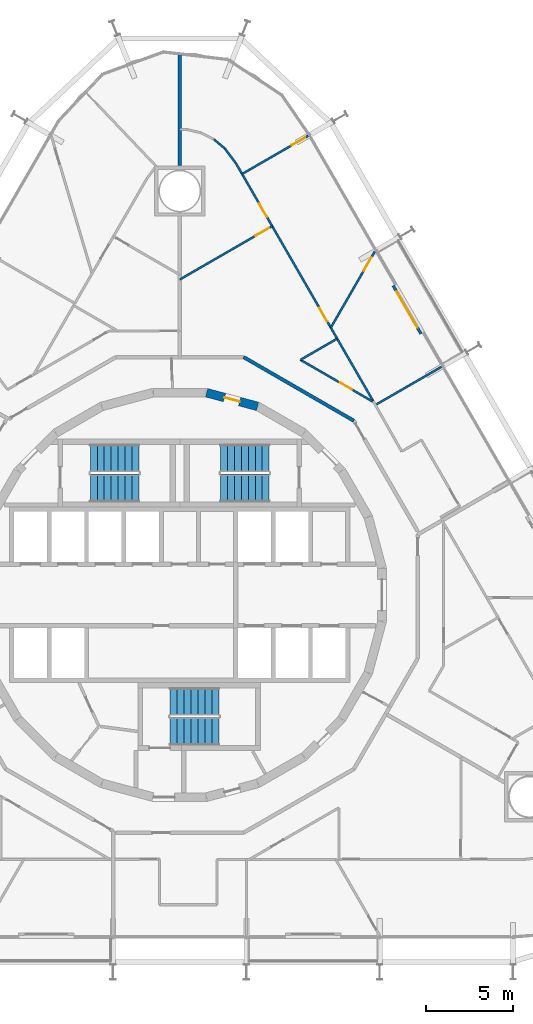
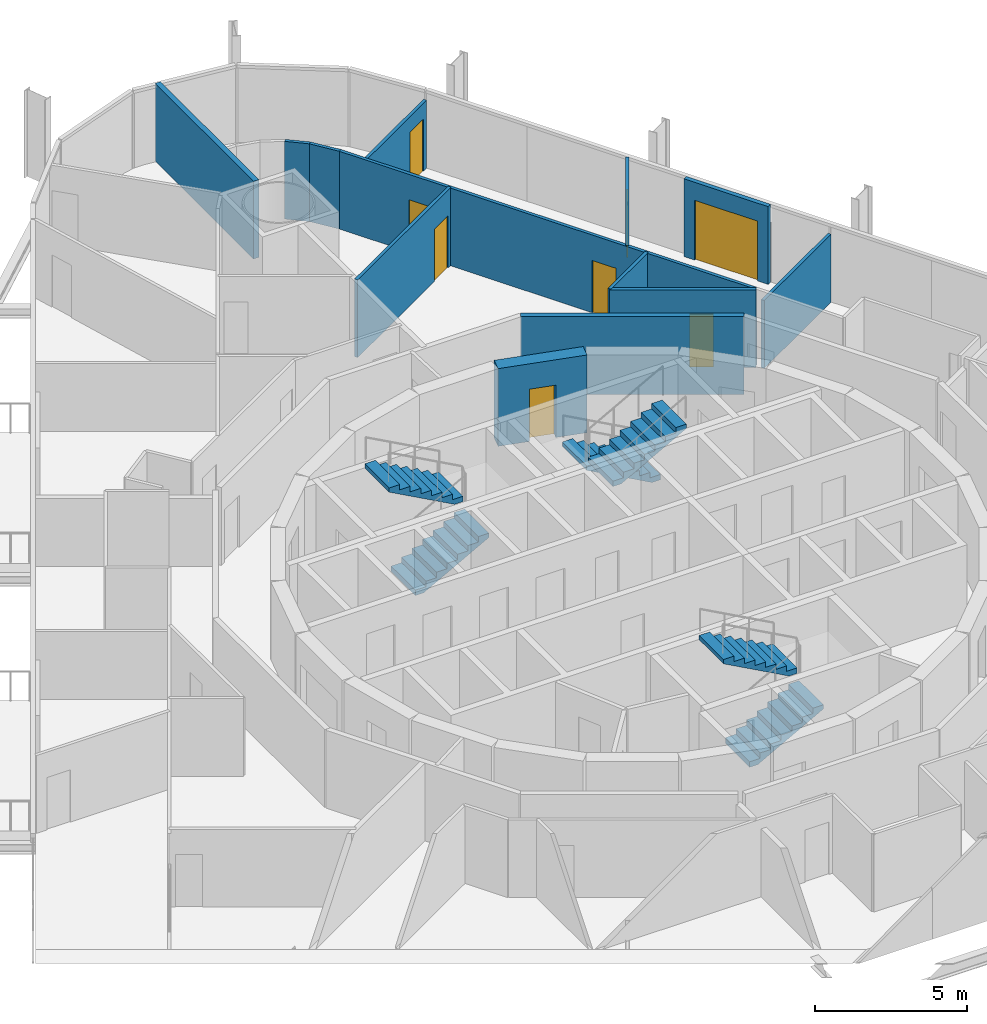
# One storey, part 18 of 19: 13 walls, 8 doors, 6 stair flights, 8 openings, 3 elements without a shape of their own.
"""IFC4 building model written with IfcOpenShell, lengths in metres."""

from ifc_helpers import new_model, si_unit, direction, frame, frame_2d, origin, place, context, subcontext, project, spatial, polyline, rectangle, outline, extrude, material, layer, layer_set, type_object, element, fill, aggregate, save


model = new_model("IFC4")

# Units and contexts
model_context = context("Model", 3, precision=1e-05, world=origin(), true_north=direction((0.0, 1.0)))
body_context = subcontext(model_context, "Body", "Model", "MODEL_VIEW")
ifc_project = project(units=[si_unit("LENGTHUNIT", "METRE"), si_unit("AREAUNIT", "SQUARE_METRE"), si_unit("VOLUMEUNIT", "CUBIC_METRE"), si_unit("PLANEANGLEUNIT", "RADIAN"), si_unit("MASSUNIT", "GRAM", prefix="KILO")], contexts=[model_context])

# Site, building, storey
site_placement = place(None, origin())
site = spatial("IfcSite", under=ifc_project, at=site_placement, CompositionType="ELEMENT")
building_placement = place(site_placement, origin())
building = spatial("IfcBuilding", under=site, at=building_placement, Name="Spindle Arch Residences", CompositionType="ELEMENT")
storey_placement = place(building_placement, frame((0.0, 0.0, 45.39990234375)))
storey = spatial("IfcBuildingStorey", under=building, at=storey_placement, Name="L09", CompositionType="ELEMENT", Elevation=45.39990234375)

# Wall, opening, door
ifc_material_1 = material(Name="Concrete C50/60", Category="concrete")
ifc_layer_1 = layer(ifc_material_1, 0.5)
ifc_layer_set_1 = layer_set([ifc_layer_1], Name="Core outline wall 500")
wall_type_1 = type_object("IfcWallType", Name="Core outline wall 500", PredefinedType="SHEAR", material=ifc_layer_set_1)
wall_1_placement = place(storey_placement, frame((4.479248046875, 10.858154296875, 0.0), z_axis=(0.0, 0.0, 1.0), x_axis=(-0.965948410781, 0.258734743916, 0.0)))
wall_1 = element("IfcWall", 1, at=wall_1_placement, inside=storey, type_object=wall_type_1, Name="Core outline wall 11", PredefinedType="SHEAR", context=body_context, shape_type="SweptSolid", body=[
    extrude(rectangle(XDim=3.03271484375, YDim=0.5, at=frame_2d((1.516357421875, 0.0))), origin(), (0.0, 0.0, 1.0), 3.1201171875),
])
opening_1_placement = place(wall_1_placement, frame((1.066162109375, 0.0, 0.0)))
opening_1 = element("IfcOpeningElement", 2, at=opening_1_placement, cuts=wall_1, Name="Opening R1A0-WD10", PredefinedType="OPENING", context=body_context, shape_type="SweptSolid", body=[
    extrude(rectangle(XDim=0.89990234375, YDim=2.10009765625, at=frame_2d((0.449951171875, 1.050048828125))), frame((0.0, 0.260009765625, 0.0), z_axis=(0.0, -1.0, 0.0), x_axis=(1.0, 0.0, 0.0)), (0.0, 0.0, 1.0), 0.52001953125),
])
ifc_material_2 = material(Name="Steel, fire-resisting door", Category="steel")
door_type_1 = type_object("IfcDoorType", Name="Service room door 900x2100", OperationType="SINGLE_SWING_LEFT", PredefinedType="DOOR", material=ifc_material_2)
door_1_placement = place(opening_1_placement, origin())
door_1 = element("IfcDoor", 3, at=door_1_placement, inside=storey, type_object=door_type_1, Name="Service room door R1A0-WD10", OperationType="SINGLE_SWING_LEFT", OverallHeight=2.10009765625, OverallWidth=0.89990234375, PredefinedType="DOOR", context=body_context, shape_type="SweptSolid", body=[
    extrude(rectangle(XDim=0.89990234375, YDim=2.10009765625, at=frame_2d((0.449951171875, 1.050048828125))), frame((0.0, 0.02490234375, 0.0), z_axis=(0.0, -1.0, 0.0), x_axis=(1.0, 0.0, 0.0)), (0.0, 0.0, 1.0), 0.050048828125),
])
fill(opening_1, door_1)

# Wall
ifc_material_3 = material(Name="Calcium silicate block, plastered")
ifc_layer_2 = layer(ifc_material_3, 0.199951171875)
ifc_layer_set_2 = layer_set([ifc_layer_2], Name="Corridor wall 200")
wall_type_2 = type_object("IfcWallType", Name="Corridor wall 200", PredefinedType="STANDARD", material=ifc_layer_set_2)
wall_2_placement = place(storey_placement, frame((10.029052734375, 10.029052734375, 0.0), z_axis=(0.0, 0.0, 1.0), x_axis=(-0.866024439905, 0.500001669485, 0.0)))
element("IfcWall", 4, at=wall_2_placement, inside=storey, type_object=wall_type_2, Name="Corridor wall R1A0-W005", PredefinedType="STANDARD", context=body_context, shape_type="SweptSolid", body=[
    extrude(rectangle(XDim=7.341796875, YDim=0.199951171875, at=frame_2d((3.6708984375, 0.0))), origin(), (0.0, 0.0, 1.0), 3.1201171875),
])

# Wall, openings, doors
ifc_material_4 = material(Name="Plasterboard on steel studs", Category="steel")
ifc_layer_3 = layer(ifc_material_4, 0.1201171875)
ifc_layer_set_3 = layer_set([ifc_layer_3], Name="Flat partition 120")
wall_type_3 = type_object("IfcWallType", Name="Flat partition 120", PredefinedType="PARTITIONING", material=ifc_layer_set_3)
wall_3_placement = place(storey_placement, frame((11.138916015625, 11.16650390625, 0.0), z_axis=(0.0, 0.0, 1.0), x_axis=(-0.499994660107, 0.866028486751, 0.0)))
wall_3 = element("IfcWall", 5, at=wall_3_placement, inside=storey, type_object=wall_type_3, Name="Flat partition R1A0-W031", PredefinedType="PARTITIONING", context=body_context, shape_type="SweptSolid", body=[
    extrude(rectangle(XDim=15.786376953125, YDim=0.1201171875, at=frame_2d((7.89306640625, 0.0))), origin(), (0.0, 0.0, 1.0), 3.1201171875),
])
opening_2_placement = place(wall_3_placement, frame((5.27880859375, 0.0, 0.0)))
opening_2 = element("IfcOpeningElement", 6, at=opening_2_placement, cuts=wall_3, Name="Opening R1A0-ID02", PredefinedType="OPENING", context=body_context, shape_type="SweptSolid", body=[
    extrude(rectangle(XDim=0.89990234375, YDim=2.10009765625, at=frame_2d((0.449951171875, 1.050048828125))), frame((0.0, 0.070068359375, 0.0), z_axis=(0.0, -1.0, 0.0), x_axis=(1.0, 0.0, 0.0)), (0.0, 0.0, 1.0), 0.14013671875),
])
opening_3_placement = place(wall_3_placement, frame((12.230224609375, 0.0, 0.0)))
opening_3 = element("IfcOpeningElement", 7, at=opening_3_placement, cuts=wall_3, Name="Opening R1A0-ID06", PredefinedType="OPENING", context=body_context, shape_type="SweptSolid", body=[
    extrude(rectangle(XDim=0.89990234375, YDim=2.10009765625, at=frame_2d((0.449951171875, 1.050048828125))), frame((0.0, 0.070068359375, 0.0), z_axis=(0.0, -1.0, 0.0), x_axis=(1.0, 0.0, 0.0)), (0.0, 0.0, 1.0), 0.14013671875),
])
ifc_material_5 = material(Name="Timber door set", Category="wood")
door_type_2 = type_object("IfcDoorType", Name="Room door 900x2100", OperationType="NOTDEFINED", PredefinedType="DOOR", material=ifc_material_5)
door_2_placement = place(opening_2_placement, origin())
door_2 = element("IfcDoor", 8, at=door_2_placement, inside=storey, type_object=door_type_2, Name="Room door R1A0-ID02", OperationType="SINGLE_SWING_RIGHT", OverallHeight=2.10009765625, OverallWidth=0.89990234375, PredefinedType="DOOR", context=body_context, shape_type="SweptSolid", body=[
    extrude(rectangle(XDim=0.89990234375, YDim=2.10009765625, at=frame_2d((0.449951171875, 1.050048828125))), frame((0.0, 0.02490234375, 0.0), z_axis=(0.0, -1.0, 0.0), x_axis=(1.0, 0.0, 0.0)), (0.0, 0.0, 1.0), 0.050048828125),
])
fill(opening_2, door_2)
door_3_placement = place(opening_3_placement, origin())
door_3 = element("IfcDoor", 9, at=door_3_placement, inside=storey, type_object=door_type_2, Name="Room door R1A0-ID06", OperationType="SINGLE_SWING_LEFT", OverallHeight=2.10009765625, OverallWidth=0.89990234375, PredefinedType="DOOR", context=body_context, shape_type="SweptSolid", body=[
    extrude(rectangle(XDim=0.89990234375, YDim=2.10009765625, at=frame_2d((0.449951171875, 1.050048828125))), frame((0.0, 0.02490234375, 0.0), z_axis=(0.0, -1.0, 0.0), x_axis=(1.0, 0.0, 0.0)), (0.0, 0.0, 1.0), 0.050048828125),
])
fill(opening_3, door_3)

# Wall, opening, door
wall_4_placement = place(storey_placement, frame((11.127197265625, 11.127197265625, 0.0), z_axis=(0.0, 0.0, 1.0), x_axis=(-0.866043916853, 0.499967933054, 0.0)))
wall_4 = element("IfcWall", 10, at=wall_4_placement, inside=storey, type_object=wall_type_3, Name="Flat partition R1A0-W032", PredefinedType="PARTITIONING", context=body_context, shape_type="SweptSolid", body=[
    extrude(rectangle(XDim=4.821044921875, YDim=0.1201171875, at=frame_2d((2.41064453125, 0.0))), origin(), (0.0, 0.0, 1.0), 3.1201171875),
])
opening_4_placement = place(wall_4_placement, frame((1.39990234375, 0.0, 0.0)))
opening_4 = element("IfcOpeningElement", 11, at=opening_4_placement, cuts=wall_4, Name="Opening R1A0-BD01", PredefinedType="OPENING", context=body_context, shape_type="SweptSolid", body=[
    extrude(rectangle(XDim=0.800048828125, YDim=2.10009765625, at=frame_2d((0.39990234375, 1.050048828125))), frame((0.0, 0.070068359375, 0.0), z_axis=(0.0, -1.0, 0.0), x_axis=(1.0, 0.0, 0.0)), (0.0, 0.0, 1.0), 0.14013671875),
])
ifc_material_6 = material(Name="Timber door set", Category="wood")
door_type_3 = type_object("IfcDoorType", Name="Bathroom door 800x2100", OperationType="NOTDEFINED", PredefinedType="DOOR", material=ifc_material_6)
door_4_placement = place(opening_4_placement, origin())
door_4 = element("IfcDoor", 12, at=door_4_placement, inside=storey, type_object=door_type_3, Name="Bathroom door R1A0-BD01", OperationType="SINGLE_SWING_RIGHT", OverallHeight=2.10009765625, OverallWidth=0.800048828125, PredefinedType="DOOR", context=body_context, shape_type="SweptSolid", body=[
    extrude(rectangle(XDim=0.800048828125, YDim=2.10009765625, at=frame_2d((0.39990234375, 1.050048828125))), frame((0.0, 0.02490234375, 0.0), z_axis=(0.0, -1.0, 0.0), x_axis=(1.0, 0.0, 0.0)), (0.0, 0.0, 1.0), 0.050048828125),
])
fill(opening_4, door_4)

# Wall
wall_5_placement = place(storey_placement, frame((6.951904296875, 13.53759765625, 0.0), z_axis=(0.0, 0.0, 1.0), x_axis=(0.866030657337, 0.49999090047, 0.0)))
element("IfcWall", 13, at=wall_5_placement, inside=storey, type_object=wall_type_3, Name="Flat partition R1A0-W033", PredefinedType="PARTITIONING", context=body_context, shape_type="SweptSolid", body=[
    extrude(rectangle(XDim=2.4404296875, YDim=0.1201171875, at=frame_2d((1.22021484375, 0.0))), origin(), (0.0, 0.0, 1.0), 3.1201171875),
])

# Wall, opening, door
wall_6_placement = place(storey_placement, frame((5.323974609375, 21.238525390625, 0.0), z_axis=(0.0, 0.0, 1.0), x_axis=(-0.866030172657, -0.49999173998, 0.0)))
wall_6 = element("IfcWall", 14, at=wall_6_placement, inside=storey, type_object=wall_type_3, Name="Flat partition R1A0-W034", PredefinedType="PARTITIONING", context=body_context, shape_type="SweptSolid", body=[
    extrude(rectangle(XDim=6.1474609375, YDim=0.1201171875, at=frame_2d((3.07373046875, 0.0))), origin(), (0.0, 0.0, 1.0), 3.1201171875),
])
opening_5_placement = place(wall_6_placement, frame((0.199951171875, 0.0, 0.0)))
opening_5 = element("IfcOpeningElement", 15, at=opening_5_placement, cuts=wall_6, Name="Opening R1A0-ID03", PredefinedType="OPENING", context=body_context, shape_type="SweptSolid", body=[
    extrude(rectangle(XDim=0.89990234375, YDim=2.10009765625, at=frame_2d((0.449951171875, 1.050048828125))), frame((0.0, 0.070068359375, 0.0), z_axis=(0.0, -1.0, 0.0), x_axis=(1.0, 0.0, 0.0)), (0.0, 0.0, 1.0), 0.14013671875),
])
door_5_placement = place(opening_5_placement, origin())
door_5 = element("IfcDoor", 16, at=door_5_placement, inside=storey, type_object=door_type_2, Name="Room door R1A0-ID03", OperationType="SINGLE_SWING_RIGHT", OverallHeight=2.10009765625, OverallWidth=0.89990234375, PredefinedType="DOOR", context=body_context, shape_type="SweptSolid", body=[
    extrude(rectangle(XDim=0.89990234375, YDim=2.10009765625, at=frame_2d((0.449951171875, 1.050048828125))), frame((0.0, 0.02490234375, 0.0), z_axis=(0.0, -1.0, 0.0), x_axis=(1.0, 0.0, 0.0)), (0.0, 0.0, 1.0), 0.050048828125),
])
fill(opening_5, door_5)

wall_7_placement = place(storey_placement, frame((11.239990234375, 19.791748046875, 0.0), z_axis=(0.0, 0.0, 1.0), x_axis=(-0.499978956711, -0.866037552792, 0.0)))
wall_7 = element("IfcWall", 17, at=wall_7_placement, inside=storey, type_object=wall_type_3, Name="Flat partition R1A0-W036", PredefinedType="PARTITIONING", context=body_context, shape_type="SweptSolid", body=[
    extrude(rectangle(XDim=5.080810546875, YDim=0.1201171875, at=frame_2d((2.54052734375, 0.0))), origin(), (0.0, 0.0, 1.0), 3.1201171875),
])
opening_6_placement = place(wall_7_placement, frame((0.39990234375, 0.0, 0.0)))
opening_6 = element("IfcOpeningElement", 18, at=opening_6_placement, cuts=wall_7, Name="Opening R1A0-ID04", PredefinedType="OPENING", context=body_context, shape_type="SweptSolid", body=[
    extrude(rectangle(XDim=0.89990234375, YDim=2.10009765625, at=frame_2d((0.449951171875, 1.050048828125))), frame((0.0, 0.070068359375, 0.0), z_axis=(0.0, -1.0, 0.0), x_axis=(1.0, 0.0, 0.0)), (0.0, 0.0, 1.0), 0.14013671875),
])
door_6_placement = place(opening_6_placement, origin())
door_6 = element("IfcDoor", 19, at=door_6_placement, inside=storey, type_object=door_type_2, Name="Room door R1A0-ID04", OperationType="SINGLE_SWING_LEFT", OverallHeight=2.10009765625, OverallWidth=0.89990234375, PredefinedType="DOOR", context=body_context, shape_type="SweptSolid", body=[
    extrude(rectangle(XDim=0.89990234375, YDim=2.10009765625, at=frame_2d((0.449951171875, 1.050048828125))), frame((0.0, 0.02490234375, 0.0), z_axis=(0.0, -1.0, 0.0), x_axis=(1.0, 0.0, 0.0)), (0.0, 0.0, 1.0), 0.050048828125),
])
fill(opening_6, door_6)

# Walls
wall_8_placement = place(storey_placement, frame((1.9619140625, 26.24267578125, 0.0), z_axis=(0.0, 0.0, 1.0), x_axis=(0.765849913579, -0.643019369748, 0.0)))
element("IfcWall", 20, at=wall_8_placement, inside=storey, type_object=wall_type_3, Name="Flat partition R1A0-W041", PredefinedType="PARTITIONING", context=body_context, shape_type="SweptSolid", body=[
    extrude(rectangle(XDim=0.828857421875, YDim=0.1201171875, at=frame_2d((0.41455078125, 0.0))), origin(), (0.0, 0.0, 1.0), 3.1201171875),
])
wall_9_placement = place(storey_placement, frame((2.5966796875, 25.709716796875, 0.0), z_axis=(0.0, 0.0, 1.0), x_axis=(0.59722925597, -0.802070580319, 0.0)))
element("IfcWall", 21, at=wall_9_placement, inside=storey, type_object=wall_type_3, Name="Flat partition R1A0-W042", PredefinedType="PARTITIONING", context=body_context, shape_type="SweptSolid", body=[
    extrude(rectangle(XDim=1.0869140625, YDim=0.1201171875, at=frame_2d((0.54345703125, 0.0))), origin(), (0.0, 0.0, 1.0), 3.1201171875),
])
ifc_material_7 = material(Name="Plasterboard on steel studs", Category="steel")
ifc_layer_4 = layer(ifc_material_7, 0.1201171875)
ifc_layer_set_4 = layer_set([ifc_layer_4], Name="Flat partition 120 under beam 2730")
wall_type_4 = type_object("IfcWallType", Name="Flat partition 120 under beam 2730", PredefinedType="PARTITIONING", material=ifc_layer_set_4)
wall_10_placement = place(storey_placement, frame((15.080078125, 13.140380859375, 0.0), z_axis=(0.0, 0.0, 1.0), x_axis=(-0.866032203192, -0.499988222896, 0.0)))
element("IfcWall", 22, at=wall_10_placement, inside=storey, type_object=wall_type_4, Name="Flat partition R1A0-W035", PredefinedType="PARTITIONING", context=body_context, shape_type="SweptSolid", body=[
    extrude(rectangle(XDim=4.39990234375, YDim=0.1201171875, at=frame_2d((2.199951171875, 0.0))), origin(), (0.0, 0.0, 1.0), 2.72998046875),
])

# Wall, opening, door
wall_11_placement = place(storey_placement, frame((7.39990234375, 26.44287109375, 0.0), z_axis=(0.0, 0.0, 1.0), x_axis=(-0.866032203192, -0.499988222896, 0.0)))
wall_11 = element("IfcWall", 23, at=wall_11_placement, inside=storey, type_object=wall_type_4, Name="Flat partition R1A0-W037", PredefinedType="PARTITIONING", context=body_context, shape_type="SweptSolid", body=[
    extrude(rectangle(XDim=4.39990234375, YDim=0.1201171875, at=frame_2d((2.199951171875, 0.0))), origin(), (0.0, 0.0, 1.0), 2.72998046875),
])
opening_7_placement = place(wall_11_placement, frame((0.199951171875, 0.0, 0.0)))
opening_7 = element("IfcOpeningElement", 24, at=opening_7_placement, cuts=wall_11, Name="Opening R1A0-ID05", PredefinedType="OPENING", context=body_context, shape_type="SweptSolid", body=[
    extrude(rectangle(XDim=0.89990234375, YDim=2.10009765625, at=frame_2d((0.449951171875, 1.050048828125))), frame((0.0, 0.070068359375, 0.0), z_axis=(0.0, -1.0, 0.0), x_axis=(1.0, 0.0, 0.0)), (0.0, 0.0, 1.0), 0.14013671875),
])
door_7_placement = place(opening_7_placement, origin())
door_7 = element("IfcDoor", 25, at=door_7_placement, inside=storey, type_object=door_type_2, Name="Room door R1A0-ID05", OperationType="SINGLE_SWING_RIGHT", OverallHeight=2.10009765625, OverallWidth=0.89990234375, PredefinedType="DOOR", context=body_context, shape_type="SweptSolid", body=[
    extrude(rectangle(XDim=0.89990234375, YDim=2.10009765625, at=frame_2d((0.449951171875, 1.050048828125))), frame((0.0, 0.02490234375, 0.0), z_axis=(0.0, -1.0, 0.0), x_axis=(1.0, 0.0, 0.0)), (0.0, 0.0, 1.0), 0.050048828125),
])
fill(opening_7, door_7)

# Wall
ifc_material_8 = material(Name="Calcium silicate block, plastered")
ifc_layer_5 = layer(ifc_material_8, 0.199951171875)
ifc_layer_set_5 = layer_set([ifc_layer_5], Name="Flat party wall 200")
wall_type_5 = type_object("IfcWallType", Name="Flat party wall 200", PredefinedType="STANDARD", material=ifc_layer_set_5)
wall_12_placement = place(storey_placement, frame((0.0, 31.205810546875, 0.0), z_axis=(0.0, 0.0, 1.0), x_axis=(-0.001543266126, -0.999998809164, 0.0)))
element("IfcWall", 26, at=wall_12_placement, inside=storey, type_object=wall_type_5, Name="Flat party wall R1A0-W019", PredefinedType="STANDARD", context=body_context, shape_type="SweptSolid", body=[
    extrude(rectangle(XDim=6.486083984375, YDim=0.199951171875, at=frame_2d((3.2431640625, 0.0))), origin(), (0.0, 0.0, 1.0), 3.1201171875),
])

# Wall, opening, door
ifc_material_9 = material(Name="Non-combustible mineral wool insulated aluminium faced external wall (K0)", Category="aluminium")
ifc_layer_6 = layer(ifc_material_9, 0.159912109375)
ifc_layer_set_6 = layer_set([ifc_layer_6], Name="Insulated external wall panel 160")
wall_type_6 = type_object("IfcWallType", Name="Insulated external wall panel 160", PredefinedType="STANDARD", material=ifc_layer_set_6)
wall_13_placement = place(storey_placement, frame((13.890625, 15.04052734375, 0.0), z_axis=(0.0, 0.0, 1.0), x_axis=(-0.499971222258, 0.866042017984, 0.0)))
wall_13 = element("IfcWall", 27, at=wall_13_placement, inside=storey, type_object=wall_type_6, Name="External wall L09 bay 9", PredefinedType="STANDARD", context=body_context, shape_type="SweptSolid", body=[
    extrude(rectangle(XDim=3.199951171875, YDim=0.159912109375, at=frame_2d((1.60009765625, 0.0))), origin(), (0.0, 0.0, 1.0), 3.1201171875),
])
opening_8_placement = place(wall_13_placement, frame((0.39990234375, 0.0, 0.0)))
opening_8 = element("IfcOpeningElement", 28, at=opening_8_placement, cuts=wall_13, Name="Opening BD09", PredefinedType="OPENING", context=body_context, shape_type="SweptSolid", body=[
    extrude(rectangle(XDim=2.39990234375, YDim=2.39990234375, at=frame_2d((1.199951171875, 1.199951171875))), frame((0.0, 0.08984375, 0.0), z_axis=(0.0, -1.0, 0.0), x_axis=(1.0, 0.0, 0.0)), (0.0, 0.0, 1.0), 0.179931640625),
])
ifc_material_10 = material(Name="Bronze aluminium frame, tinted double glazing", Category="aluminium")
door_type_4 = type_object("IfcDoorType", Name="Sliding glazed balcony door 2400x2400", OperationType="DOUBLE_DOOR_SLIDING", PredefinedType="DOOR", material=ifc_material_10)
door_8_placement = place(opening_8_placement, origin())
door_8 = element("IfcDoor", 29, at=door_8_placement, inside=storey, type_object=door_type_4, Name="Balcony door BD09", OperationType="DOUBLE_DOOR_SLIDING", OverallHeight=2.39990234375, OverallWidth=2.39990234375, PredefinedType="DOOR", context=body_context, shape_type="SweptSolid", body=[
    extrude(rectangle(XDim=2.39990234375, YDim=2.39990234375, at=frame_2d((1.199951171875, 1.199951171875))), frame((0.0, 0.02490234375, 0.0), z_axis=(0.0, -1.0, 0.0), x_axis=(1.0, 0.0, 0.0)), (0.0, 0.0, 1.0), 0.050048828125),
])
fill(opening_8, door_8)

# Stair, stair flights
ifc_material_11 = material(Name="Concrete C50/60", Category="concrete")
stair_type = type_object("IfcStairType", Name="Exit stair 16 risers", PredefinedType="HALF_TURN_STAIR", material=ifc_material_11)
stair_1_placement = place(storey_placement, origin())
stair_1 = element("IfcStair", 30, at=stair_1_placement, inside=storey, type_object=stair_type, Name="L09 Exit stair ST1", PredefinedType="HALF_TURN_STAIR")
ifc_material_12 = material(Name="Concrete C50/60", Category="concrete")
stair_flight_type = type_object("IfcStairFlightType", Name="Exit stair flight", PredefinedType="STRAIGHT", material=ifc_material_12)
stair_flight_1_placement = place(storey_placement, frame((5.14990234375, 7.8701171875, 0.0), z_axis=(0.0, 0.0, 1.0), x_axis=(-1.0, 0.0, 0.0)))
stair_flight_1 = element("IfcStairFlight", 31, at=stair_flight_1_placement, type_object=stair_flight_type, Name="ST1 flight 1", NumberOfRisers=8, NumberOfTreads=7, PredefinedType="STRAIGHT", RiserHeight=0.21875, TreadLength=0.4, context=body_context, shape_type="SweptSolid", body=[
    extrude(outline(polyline([(0.0, 0.0), (0.0, 0.21875), (0.39990234375, 0.21875), (0.39990234375, 0.4375), (0.800048828125, 0.4375), (0.800048828125, 0.65625), (1.199951171875, 0.65625), (1.199951171875, 0.875), (1.60009765625, 0.875), (1.60009765625, 1.09375), (2.0, 1.09375), (2.0, 1.3125), (2.39990234375, 1.3125), (2.39990234375, 1.53125), (2.800048828125, 1.53125), (2.800048828125, 1.75), (2.800048828125, 1.3603515625), (0.3125, 0.0), (0.0, 0.0)])), frame((0.0, 0.800048828125, 0.0), z_axis=(0.0, -1.0, 0.0), x_axis=(1.0, 0.0, 0.0)), (0.0, 0.0, 1.0), 1.60009765625),
])
stair_flight_2_placement = place(storey_placement, frame((2.35009765625, 6.14990234375, 1.75), z_axis=(0.0, 0.0, 1.0), x_axis=(1.0, 0.0, 0.0)))
stair_flight_2 = element("IfcStairFlight", 32, at=stair_flight_2_placement, type_object=stair_flight_type, Name="ST1 flight 2", NumberOfRisers=8, NumberOfTreads=7, PredefinedType="STRAIGHT", RiserHeight=0.21875, TreadLength=0.4, context=body_context, shape_type="SweptSolid", body=[
    extrude(outline(polyline([(0.0, 0.0), (0.0, 0.21875), (0.39990234375, 0.21875), (0.39990234375, 0.4375), (0.800048828125, 0.4375), (0.800048828125, 0.65625), (1.199951171875, 0.65625), (1.199951171875, 0.875), (1.60009765625, 0.875), (1.60009765625, 1.09375), (2.0, 1.09375), (2.0, 1.3125), (2.39990234375, 1.3125), (2.39990234375, 1.53125), (2.800048828125, 1.53125), (2.800048828125, 1.75), (2.800048828125, 1.3603515625), (0.3125, 0.0), (0.0, 0.0)])), frame((0.0, 0.800048828125, 0.0), z_axis=(0.0, -1.0, 0.0), x_axis=(1.0, 0.0, 0.0)), (0.0, 0.0, 1.0), 1.60009765625),
])
aggregate(stair_1, [stair_flight_1, stair_flight_2])

stair_2_placement = place(storey_placement, origin())
stair_2 = element("IfcStair", 33, at=stair_2_placement, inside=storey, type_object=stair_type, Name="L09 Exit stair ST2", PredefinedType="HALF_TURN_STAIR")
stair_flight_3_placement = place(storey_placement, frame((-5.14990234375, 6.14990234375, 0.0), z_axis=(0.0, 0.0, 1.0), x_axis=(1.0, 0.0, 0.0)))
stair_flight_3 = element("IfcStairFlight", 34, at=stair_flight_3_placement, type_object=stair_flight_type, Name="ST2 flight 1", NumberOfRisers=8, NumberOfTreads=7, PredefinedType="STRAIGHT", RiserHeight=0.21875, TreadLength=0.4, context=body_context, shape_type="SweptSolid", body=[
    extrude(outline(polyline([(0.0, 0.0), (0.0, 0.21875), (0.39990234375, 0.21875), (0.39990234375, 0.4375), (0.800048828125, 0.4375), (0.800048828125, 0.65625), (1.199951171875, 0.65625), (1.199951171875, 0.875), (1.60009765625, 0.875), (1.60009765625, 1.09375), (2.0, 1.09375), (2.0, 1.3125), (2.39990234375, 1.3125), (2.39990234375, 1.53125), (2.800048828125, 1.53125), (2.800048828125, 1.75), (2.800048828125, 1.3603515625), (0.3125, 0.0), (0.0, 0.0)])), frame((0.0, 0.800048828125, 0.0), z_axis=(0.0, -1.0, 0.0), x_axis=(1.0, 0.0, 0.0)), (0.0, 0.0, 1.0), 1.60009765625),
])
stair_flight_4_placement = place(storey_placement, frame((-2.35009765625, 7.8701171875, 1.75), z_axis=(0.0, 0.0, 1.0), x_axis=(-1.0, 0.0, 0.0)))
stair_flight_4 = element("IfcStairFlight", 35, at=stair_flight_4_placement, type_object=stair_flight_type, Name="ST2 flight 2", NumberOfRisers=8, NumberOfTreads=7, PredefinedType="STRAIGHT", RiserHeight=0.21875, TreadLength=0.4, context=body_context, shape_type="SweptSolid", body=[
    extrude(outline(polyline([(0.0, 0.0), (0.0, 0.21875), (0.39990234375, 0.21875), (0.39990234375, 0.4375), (0.800048828125, 0.4375), (0.800048828125, 0.65625), (1.199951171875, 0.65625), (1.199951171875, 0.875), (1.60009765625, 0.875), (1.60009765625, 1.09375), (2.0, 1.09375), (2.0, 1.3125), (2.39990234375, 1.3125), (2.39990234375, 1.53125), (2.800048828125, 1.53125), (2.800048828125, 1.75), (2.800048828125, 1.3603515625), (0.3125, 0.0), (0.0, 0.0)])), frame((0.0, 0.800048828125, 0.0), z_axis=(0.0, -1.0, 0.0), x_axis=(1.0, 0.0, 0.0)), (0.0, 0.0, 1.0), 1.60009765625),
])
aggregate(stair_2, [stair_flight_3, stair_flight_4])

stair_3_placement = place(storey_placement, origin())
stair_3 = element("IfcStair", 36, at=stair_3_placement, inside=storey, type_object=stair_type, Name="L09 Exit stair ST3", PredefinedType="HALF_TURN_STAIR")
stair_flight_5_placement = place(storey_placement, frame((-0.550048828125, -7.8701171875, 0.0), z_axis=(0.0, 0.0, 1.0), x_axis=(1.0, 0.0, 0.0)))
stair_flight_5 = element("IfcStairFlight", 37, at=stair_flight_5_placement, type_object=stair_flight_type, Name="ST3 flight 1", NumberOfRisers=8, NumberOfTreads=7, PredefinedType="STRAIGHT", RiserHeight=0.21875, TreadLength=0.4, context=body_context, shape_type="SweptSolid", body=[
    extrude(outline(polyline([(0.0, 0.0), (0.0, 0.21875), (0.39990234375, 0.21875), (0.39990234375, 0.4375), (0.800048828125, 0.4375), (0.800048828125, 0.65625), (1.199951171875, 0.65625), (1.199951171875, 0.875), (1.60009765625, 0.875), (1.60009765625, 1.09375), (2.0, 1.09375), (2.0, 1.3125), (2.39990234375, 1.3125), (2.39990234375, 1.53125), (2.800048828125, 1.53125), (2.800048828125, 1.75), (2.800048828125, 1.3603515625), (0.3125, 0.0), (0.0, 0.0)])), frame((0.0, 0.800048828125, 0.0), z_axis=(0.0, -1.0, 0.0), x_axis=(1.0, 0.0, 0.0)), (0.0, 0.0, 1.0), 1.60009765625),
])
stair_flight_6_placement = place(storey_placement, frame((2.25, -6.14990234375, 1.75), z_axis=(0.0, 0.0, 1.0), x_axis=(-1.0, 0.0, 0.0)))
stair_flight_6 = element("IfcStairFlight", 38, at=stair_flight_6_placement, type_object=stair_flight_type, Name="ST3 flight 2", NumberOfRisers=8, NumberOfTreads=7, PredefinedType="STRAIGHT", RiserHeight=0.21875, TreadLength=0.4, context=body_context, shape_type="SweptSolid", body=[
    extrude(outline(polyline([(0.0, 0.0), (0.0, 0.21875), (0.39990234375, 0.21875), (0.39990234375, 0.4375), (0.800048828125, 0.4375), (0.800048828125, 0.65625), (1.199951171875, 0.65625), (1.199951171875, 0.875), (1.60009765625, 0.875), (1.60009765625, 1.09375), (2.0, 1.09375), (2.0, 1.3125), (2.39990234375, 1.3125), (2.39990234375, 1.53125), (2.800048828125, 1.53125), (2.800048828125, 1.75), (2.800048828125, 1.3603515625), (0.3125, 0.0), (0.0, 0.0)])), frame((0.0, 0.800048828125, 0.0), z_axis=(0.0, -1.0, 0.0), x_axis=(1.0, 0.0, 0.0)), (0.0, 0.0, 1.0), 1.60009765625),
])
aggregate(stair_3, [stair_flight_5, stair_flight_6])

save(model, "model.ifc")
